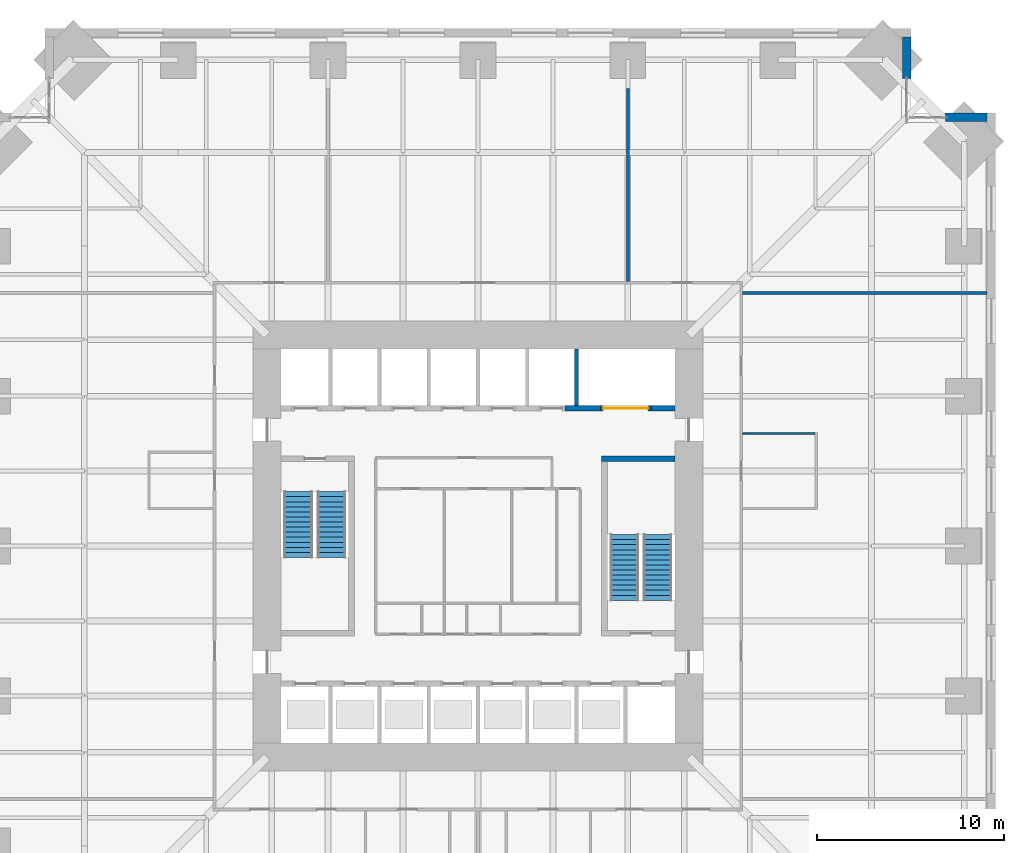
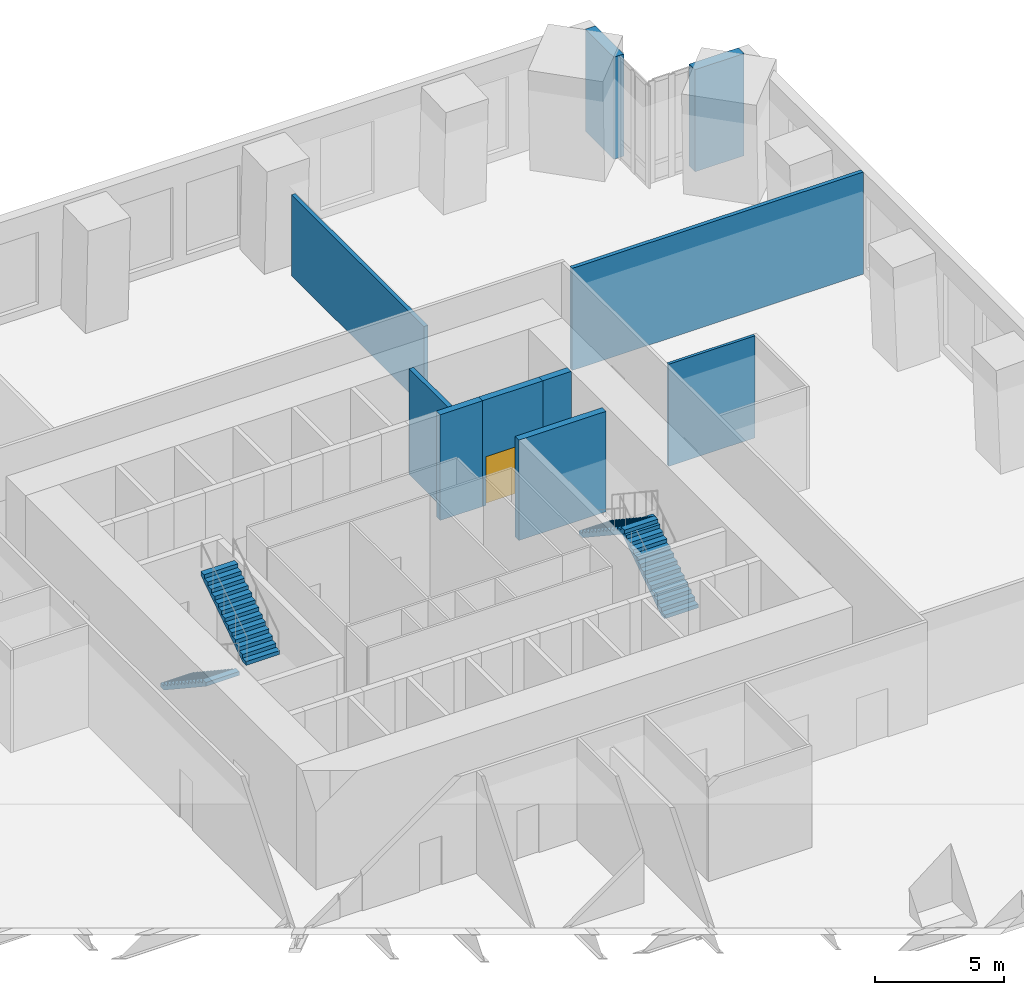
# One storey, part 16 of 18: 10 walls, 4 stair flights, 1 door, 1 opening, 2 elements without a shape of their own.
"""IFC4 building model written with IfcOpenShell, lengths in metres."""

from ifc_helpers import new_model, si_unit, direction, frame, frame_2d, origin, place, context, subcontext, project, spatial, polyline, rectangle, outline, extrude, material, layer, layer_set, type_object, element, fill, aggregate, save


model = new_model("IFC4")

# Units and contexts
model_context = context("Model", 3, precision=1e-05, world=origin(), true_north=direction((0.0, 1.0)))
body_context = subcontext(model_context, "Body", "Model", "MODEL_VIEW")
ifc_project = project(units=[si_unit("LENGTHUNIT", "METRE"), si_unit("AREAUNIT", "SQUARE_METRE"), si_unit("VOLUMEUNIT", "CUBIC_METRE"), si_unit("PLANEANGLEUNIT", "RADIAN"), si_unit("MASSUNIT", "GRAM", prefix="KILO")], contexts=[model_context])

# Site, building, storey
site_placement = place(None, origin())
site = spatial("IfcSite", under=ifc_project, at=site_placement, CompositionType="ELEMENT")
building_placement = place(site_placement, origin())
building = spatial("IfcBuilding", under=site, at=building_placement, Name="Peilmerk Tower", CompositionType="ELEMENT")
storey_placement = place(building_placement, frame((0.0, 0.0, 122.800048828125)))
storey = spatial("IfcBuildingStorey", under=building, at=storey_placement, Name="L24", CompositionType="ELEMENT", Elevation=122.800048828125)

# Walls
ifc_material_1 = material(Name="Precast concrete C45/55, board-marked finish", Category="concrete")
ifc_layer_1 = layer(ifc_material_1, 0.449951171875)
ifc_layer_set_1 = layer_set([ifc_layer_1], Name="Precast concrete C45/55, board-marked finish")
wall_type_1 = type_object("IfcWallType", Name="EW1 450 precast concrete facade wall, board-marked", PredefinedType="SOLIDWALL", material=ifc_layer_set_1)
for number, where, z_axis, x_axis, name in (
    (1, (22.875, 24.95361328125, 0.0), (0.0, 0.0, 1.0), (0.0, 1.0, 0.0), "Facade wall NEA L24"),
    (2, (24.95361328125, 22.875, 0.0), (0.0, 0.0, 1.0), (1.0, 0.0, 0.0), "Facade wall NEB L24"),
):
    element("IfcWall", number, at=place(storey_placement, frame(where, z_axis=z_axis, x_axis=x_axis)), inside=storey, type_object=wall_type_1, Name=name, PredefinedType="SOLIDWALL", context=body_context, shape_type="SweptSolid", body=[
        extrude(rectangle(XDim=2.1962890625, YDim=0.449951171875, at=frame_2d((1.09814453125, 0.0))), origin(), (0.0, 0.0, 1.0), 4.829833984375),
    ])
ifc_material_2 = material(Name="Concrete C35/45", Category="concrete")
ifc_layer_2 = layer(ifc_material_2, 0.300048828125)
ifc_layer_set_2 = layer_set([ifc_layer_2], Name="Concrete C35/45")
wall_type_2 = type_object("IfcWallType", Name="IW3 300 concrete stair enclosure wall, EI 120", PredefinedType="SOLIDWALL", material=ifc_layer_set_2)
wall_1_placement = place(storey_placement, frame((6.60009765625, 4.64990234375, 0.0), z_axis=(0.0, 0.0, 1.0), x_axis=(1.0, 0.0, 0.0)))
element("IfcWall", 3, at=wall_1_placement, inside=storey, type_object=wall_type_2, Name="Stair 2 enclosure L24", PredefinedType="SOLIDWALL", context=body_context, shape_type="SweptSolid", body=[
    extrude(rectangle(XDim=3.89990234375, YDim=0.300048828125, at=frame_2d((1.949951171875, 0.0))), origin(), (0.0, 0.0, 1.0), 4.75),
])
ifc_material_3 = material(Name="Plasterboard on steel studs, double boarded with mineral wool", Category="steel")
ifc_layer_3 = layer(ifc_material_3, 0.125)
ifc_layer_set_3 = layer_set([ifc_layer_3], Name="Plasterboard on steel studs, double boarded with mineral wool")
wall_type_3 = type_object("IfcWallType", Name="IW7 125 acoustic partition, EI 30", PredefinedType="PARTITIONING", material=ifc_layer_set_3)
wall_2_placement = place(storey_placement, frame((14.125, 6.0, 0.0), z_axis=(0.0, 0.0, 1.0), x_axis=(1.0, 0.0, 0.0)))
element("IfcWall", 4, at=wall_2_placement, inside=storey, type_object=wall_type_3, Name="Acoustic partition Pantry L24", PredefinedType="PARTITIONING", context=body_context, shape_type="SweptSolid", body=[
    extrude(rectangle(XDim=3.862548828125, YDim=0.125, at=frame_2d((1.93115234375, 0.0))), origin(), (0.0, 0.0, 1.0), 4.829833984375),
])
ifc_material_4 = material(Name="Calcium silicate block", Category="masonry")
ifc_layer_4 = layer(ifc_material_4, 0.175048828125)
ifc_layer_set_4 = layer_set([ifc_layer_4], Name="Calcium silicate block")
wall_type_4 = type_object("IfcWallType", Name="IW8 175 tenant separating wall, EI 60", PredefinedType="PARTITIONING", material=ifc_layer_set_4)
wall_3_placement = place(storey_placement, frame((14.125, 13.5, 0.0), z_axis=(0.0, 0.0, 1.0), x_axis=(1.0, 0.0, 0.0)))
element("IfcWall", 5, at=wall_3_placement, inside=storey, type_object=wall_type_4, Name="Tenant separating wall NE L24", PredefinedType="PARTITIONING", context=body_context, shape_type="SweptSolid", body=[
    extrude(rectangle(XDim=13.02490234375, YDim=0.175048828125, at=frame_2d((6.512451171875, 0.0))), origin(), (0.0, 0.0, 1.0), 4.829833984375),
])
wall_4_placement = place(storey_placement, frame((8.0, 14.125, 0.0), z_axis=(0.0, 0.0, 1.0), x_axis=(0.0, 1.0, 0.0)))
element("IfcWall", 6, at=wall_4_placement, inside=storey, type_object=wall_type_4, Name="Tenant separating wall N2 L24", PredefinedType="PARTITIONING", context=body_context, shape_type="SweptSolid", body=[
    extrude(rectangle(XDim=10.275146484375, YDim=0.175048828125, at=frame_2d((5.1376953125, 0.0))), origin(), (0.0, 0.0, 1.0), 3.822021484375),
])
ifc_layer_5 = layer(ifc_material_4, 0.199951171875)
ifc_layer_set_5 = layer_set([ifc_layer_5], Name="Calcium silicate block")
wall_type_5 = type_object("IfcWallType", Name="SH1 200 shaft dividing wall, EI 120", PredefinedType="PARTITIONING", material=ifc_layer_set_5)
wall_5_placement = place(storey_placement, frame((5.25, 7.5, 0.0), z_axis=(0.0, 0.0, 1.0), x_axis=(0.0, 1.0, 0.0)))
element("IfcWall", 7, at=wall_5_placement, inside=storey, type_object=wall_type_5, Name="Shaft wall N S2 L24", PredefinedType="PARTITIONING", context=body_context, shape_type="SweptSolid", body=[
    extrude(rectangle(XDim=3.0, YDim=0.199951171875, at=frame_2d((1.5, 0.0))), origin(), (0.0, 0.0, 1.0), 5.0),
])

# Wall, opening, door
ifc_layer_6 = layer(ifc_material_4, 0.300048828125)
ifc_layer_set_6 = layer_set([ifc_layer_6], Name="Calcium silicate block")
wall_type_6 = type_object("IfcWallType", Name="SH2 300 lift landing door panel, EI 120", PredefinedType="PARTITIONING", material=ifc_layer_set_6)
wall_6_placement = place(storey_placement, frame((6.52490234375, 7.35009765625, 0.0), z_axis=(0.0, 0.0, 1.0), x_axis=(1.0, 0.0, 0.0)))
wall_6 = element("IfcWall", 8, at=wall_6_placement, inside=storey, type_object=wall_type_6, Name="Lift door panel N GL1 L24", PredefinedType="PARTITIONING", context=body_context, shape_type="SweptSolid", body=[
    extrude(rectangle(XDim=2.7001953125, YDim=0.300048828125, at=frame_2d((1.35009765625, 0.0))), origin(), (0.0, 0.0, 1.0), 5.0),
])
opening_placement = place(wall_6_placement, frame((0.14990234375, 0.0, 0.0)))
opening = element("IfcOpeningElement", 9, at=opening_placement, cuts=wall_6, Name="Opening LD3", PredefinedType="OPENING", context=body_context, shape_type="SweptSolid", body=[
    extrude(rectangle(XDim=2.39990234375, YDim=2.300048828125, at=frame_2d((1.199951171875, 1.14990234375))), frame((0.0, 0.159912109375, 0.0), z_axis=(0.0, -1.0, 0.0), x_axis=(1.0, 0.0, 0.0)), (0.0, 0.0, 1.0), 0.320068359375),
])
ifc_material_5 = material(Name="Stainless steel landing door", Category="steel")
door_type = type_object("IfcDoorType", Name="LD3 2400x2300 lift landing door, sliding, EI2 60", OperationType="SLIDING_TO_LEFT", PredefinedType="DOOR", material=ifc_material_5)
door_placement = place(opening_placement, frame((2.39990234375, 0.0, 0.0), z_axis=(0.0, 0.0, 1.0), x_axis=(-1.0, 0.0, 0.0)))
door = element("IfcDoor", 10, at=door_placement, inside=storey, type_object=door_type, Name="Lift landing door GL1 L24", OperationType="SLIDING_TO_LEFT", OverallHeight=2.300048828125, OverallWidth=2.39990234375, PredefinedType="DOOR", context=body_context, shape_type="SweptSolid", body=[
    extrude(rectangle(XDim=2.39990234375, YDim=2.300048828125, at=frame_2d((1.199951171875, 1.14990234375))), frame((0.0, 0.02490234375, 0.0), z_axis=(0.0, -1.0, 0.0), x_axis=(1.0, 0.0, 0.0)), (0.0, 0.0, 1.0), 0.050048828125),
])
fill(opening, door)

# Walls
ifc_material_6 = material(Name="Concrete C55/67", Category="concrete")
ifc_layer_7 = layer(ifc_material_6, 0.300048828125)
ifc_layer_set_7 = layer_set([ifc_layer_7], Name="Concrete C55/67")
wall_type_7 = type_object("IfcWallType", Name="SW2 300 lift bank pier", PredefinedType="SHEAR", material=ifc_layer_set_7)
wall_7_placement = place(storey_placement, frame((4.637451171875, 7.35009765625, 0.0), z_axis=(0.0, 0.0, 1.0), x_axis=(1.0, 0.0, 0.0)))
element("IfcWall", 11, at=wall_7_placement, inside=storey, type_object=wall_type_7, Name="Lift bank pier N L24", PredefinedType="SHEAR", context=body_context, shape_type="SweptSolid", body=[
    extrude(rectangle(XDim=1.887451171875, YDim=0.300048828125, at=frame_2d((0.94384765625, 0.0))), origin(), (0.0, 0.0, 1.0), 5.0),
])
wall_8_placement = place(storey_placement, frame((9.22509765625, 7.35009765625, 0.0), z_axis=(0.0, 0.0, 1.0), x_axis=(1.0, 0.0, 0.0)))
element("IfcWall", 12, at=wall_8_placement, inside=storey, type_object=wall_type_7, Name="Lift bank pier N L24", PredefinedType="SHEAR", context=body_context, shape_type="SweptSolid", body=[
    extrude(rectangle(XDim=1.27490234375, YDim=0.300048828125, at=frame_2d((0.637451171875, 0.0))), origin(), (0.0, 0.0, 1.0), 5.0),
])

# Stair, stair flights
ifc_material_7 = material(Name="Precast concrete C45/55", Category="concrete")
stair_type_1 = type_object("IfcStairType", Name="ST1 28 risers of 178.6", PredefinedType="HALF_TURN_STAIR", material=ifc_material_7)
stair_1_placement = place(storey_placement, origin())
stair_1 = element("IfcStair", 13, at=stair_1_placement, inside=storey, type_object=stair_type_1, Name="Stair 1 L24 to L25", PredefinedType="HALF_TURN_STAIR")
stair_flight_type = type_object("IfcStairFlightType", Name="SF14 flight, 14 risers of 178.6", PredefinedType="STRAIGHT", material=ifc_material_7)
stair_flight_1_placement = place(storey_placement, frame((-9.60009765625, 2.89990234375, 0.0), z_axis=(0.0, 0.0, 1.0), x_axis=(0.0, -1.0, 0.0)))
stair_flight_1 = element("IfcStairFlight", 14, at=stair_flight_1_placement, type_object=stair_flight_type, Name="ST1 flight 1", NumberOfRisers=14, NumberOfTreads=13, PredefinedType="STRAIGHT", RiserHeight=0.178571429, TreadLength=0.27, context=body_context, shape_type="SweptSolid", body=[
    extrude(outline(polyline([(0.0, 0.0), (0.0, 0.178466796875), (0.27001953125, 0.178466796875), (0.27001953125, 0.357177734375), (0.5400390625, 0.357177734375), (0.5400390625, 0.53564453125), (0.81005859375, 0.53564453125), (0.81005859375, 0.71435546875), (1.080078125, 0.71435546875), (1.080078125, 0.892822265625), (1.35009765625, 0.892822265625), (1.35009765625, 1.071533203125), (1.6201171875, 1.071533203125), (1.6201171875, 1.25), (1.889892578125, 1.25), (1.889892578125, 1.428466796875), (2.159912109375, 1.428466796875), (2.159912109375, 1.607177734375), (2.429931640625, 1.607177734375), (2.429931640625, 1.78564453125), (2.699951171875, 1.78564453125), (2.699951171875, 1.96435546875), (2.969970703125, 1.96435546875), (2.969970703125, 2.142822265625), (3.239990234375, 2.142822265625), (3.239990234375, 2.321533203125), (3.510009765625, 2.321533203125), (3.510009765625, 2.5), (3.510009765625, 2.1416015625), (0.271728515625, 0.0), (0.0, 0.0)])), frame((0.0, 0.75, 0.0), z_axis=(0.0, -1.0, 0.0), x_axis=(1.0, 0.0, 0.0)), (0.0, 0.0, 1.0), 1.5),
])
stair_flight_2_placement = place(storey_placement, frame((-7.800048828125, -0.610107421875, 2.5), z_axis=(0.0, 0.0, 1.0), x_axis=(0.0, 1.0, 0.0)))
stair_flight_2 = element("IfcStairFlight", 15, at=stair_flight_2_placement, type_object=stair_flight_type, Name="ST1 flight 2", NumberOfRisers=14, NumberOfTreads=13, PredefinedType="STRAIGHT", RiserHeight=0.178571429, TreadLength=0.27, context=body_context, shape_type="SweptSolid", body=[
    extrude(outline(polyline([(0.0, 0.0), (0.0, 0.178466796875), (0.27001953125, 0.178466796875), (0.27001953125, 0.357177734375), (0.5400390625, 0.357177734375), (0.5400390625, 0.53564453125), (0.81005859375, 0.53564453125), (0.81005859375, 0.71435546875), (1.080078125, 0.71435546875), (1.080078125, 0.892822265625), (1.35009765625, 0.892822265625), (1.35009765625, 1.071533203125), (1.6201171875, 1.071533203125), (1.6201171875, 1.25), (1.889892578125, 1.25), (1.889892578125, 1.428466796875), (2.159912109375, 1.428466796875), (2.159912109375, 1.607177734375), (2.429931640625, 1.607177734375), (2.429931640625, 1.78564453125), (2.699951171875, 1.78564453125), (2.699951171875, 1.96435546875), (2.969970703125, 1.96435546875), (2.969970703125, 2.142822265625), (3.239990234375, 2.142822265625), (3.239990234375, 2.321533203125), (3.510009765625, 2.321533203125), (3.510009765625, 2.5), (3.510009765625, 2.1416015625), (0.271728515625, 0.0), (0.0, 0.0)])), frame((0.0, 0.75, 0.0), z_axis=(0.0, -1.0, 0.0), x_axis=(1.0, 0.0, 0.0)), (0.0, 0.0, 1.0), 1.5),
])
aggregate(stair_1, [stair_flight_1, stair_flight_2])

stair_type_2 = type_object("IfcStairType", Name="ST2 28 risers of 178.6", PredefinedType="HALF_TURN_STAIR", material=ifc_material_7)
stair_2_placement = place(storey_placement, origin())
stair_2 = element("IfcStair", 16, at=stair_2_placement, inside=storey, type_object=stair_type_2, Name="Stair 2 L24 to L25", PredefinedType="HALF_TURN_STAIR")
stair_flight_3_placement = place(storey_placement, frame((9.60009765625, -2.89990234375, 0.0), z_axis=(0.0, 0.0, 1.0), x_axis=(0.0, 1.0, 0.0)))
stair_flight_3 = element("IfcStairFlight", 17, at=stair_flight_3_placement, type_object=stair_flight_type, Name="ST2 flight 1", NumberOfRisers=14, NumberOfTreads=13, PredefinedType="STRAIGHT", RiserHeight=0.178571429, TreadLength=0.27, context=body_context, shape_type="SweptSolid", body=[
    extrude(outline(polyline([(0.0, 0.0), (0.0, 0.178466796875), (0.27001953125, 0.178466796875), (0.27001953125, 0.357177734375), (0.5400390625, 0.357177734375), (0.5400390625, 0.53564453125), (0.81005859375, 0.53564453125), (0.81005859375, 0.71435546875), (1.080078125, 0.71435546875), (1.080078125, 0.892822265625), (1.35009765625, 0.892822265625), (1.35009765625, 1.071533203125), (1.6201171875, 1.071533203125), (1.6201171875, 1.25), (1.889892578125, 1.25), (1.889892578125, 1.428466796875), (2.159912109375, 1.428466796875), (2.159912109375, 1.607177734375), (2.429931640625, 1.607177734375), (2.429931640625, 1.78564453125), (2.699951171875, 1.78564453125), (2.699951171875, 1.96435546875), (2.969970703125, 1.96435546875), (2.969970703125, 2.142822265625), (3.239990234375, 2.142822265625), (3.239990234375, 2.321533203125), (3.510009765625, 2.321533203125), (3.510009765625, 2.5), (3.510009765625, 2.1416015625), (0.271728515625, 0.0), (0.0, 0.0)])), frame((0.0, 0.75, 0.0), z_axis=(0.0, -1.0, 0.0), x_axis=(1.0, 0.0, 0.0)), (0.0, 0.0, 1.0), 1.5),
])
stair_flight_4_placement = place(storey_placement, frame((7.800048828125, 0.610107421875, 2.5), z_axis=(0.0, 0.0, 1.0), x_axis=(0.0, -1.0, 0.0)))
stair_flight_4 = element("IfcStairFlight", 18, at=stair_flight_4_placement, type_object=stair_flight_type, Name="ST2 flight 2", NumberOfRisers=14, NumberOfTreads=13, PredefinedType="STRAIGHT", RiserHeight=0.178571429, TreadLength=0.27, context=body_context, shape_type="SweptSolid", body=[
    extrude(outline(polyline([(0.0, 0.0), (0.0, 0.178466796875), (0.27001953125, 0.178466796875), (0.27001953125, 0.357177734375), (0.5400390625, 0.357177734375), (0.5400390625, 0.53564453125), (0.81005859375, 0.53564453125), (0.81005859375, 0.71435546875), (1.080078125, 0.71435546875), (1.080078125, 0.892822265625), (1.35009765625, 0.892822265625), (1.35009765625, 1.071533203125), (1.6201171875, 1.071533203125), (1.6201171875, 1.25), (1.889892578125, 1.25), (1.889892578125, 1.428466796875), (2.159912109375, 1.428466796875), (2.159912109375, 1.607177734375), (2.429931640625, 1.607177734375), (2.429931640625, 1.78564453125), (2.699951171875, 1.78564453125), (2.699951171875, 1.96435546875), (2.969970703125, 1.96435546875), (2.969970703125, 2.142822265625), (3.239990234375, 2.142822265625), (3.239990234375, 2.321533203125), (3.510009765625, 2.321533203125), (3.510009765625, 2.5), (3.510009765625, 2.1416015625), (0.271728515625, 0.0), (0.0, 0.0)])), frame((0.0, 0.75, 0.0), z_axis=(0.0, -1.0, 0.0), x_axis=(1.0, 0.0, 0.0)), (0.0, 0.0, 1.0), 1.5),
])
aggregate(stair_2, [stair_flight_3, stair_flight_4])

save(model, "model.ifc")
